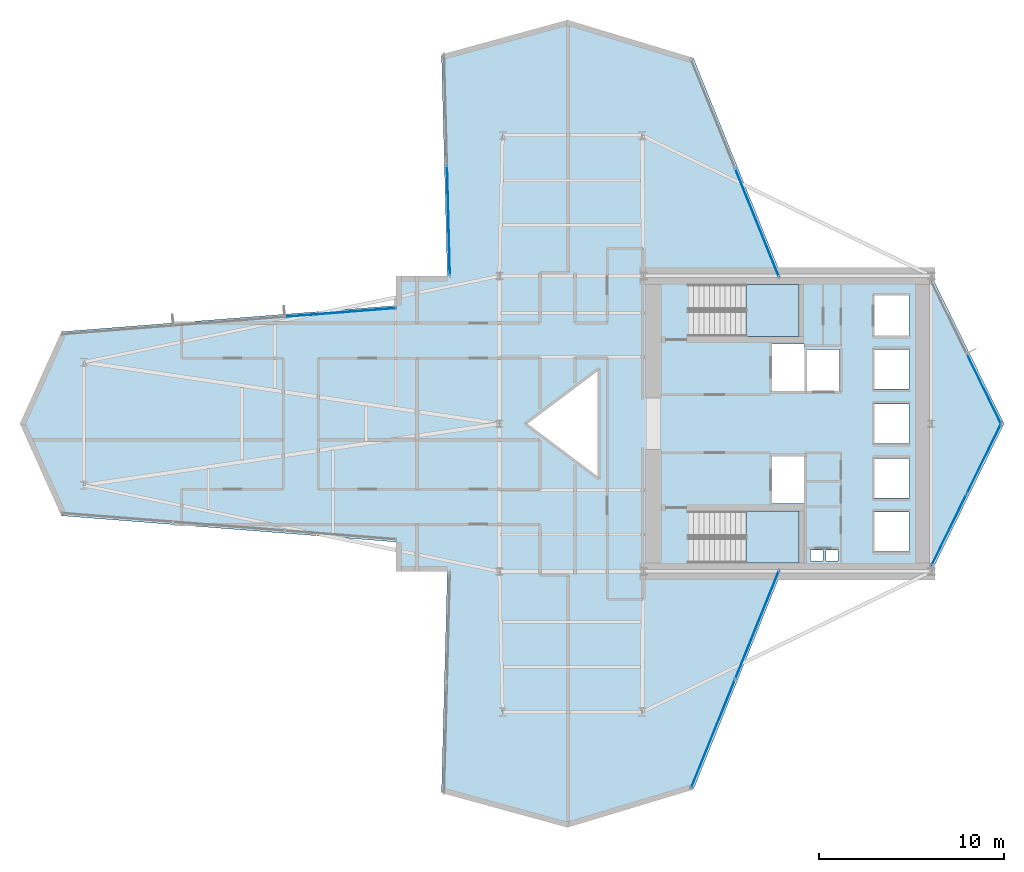
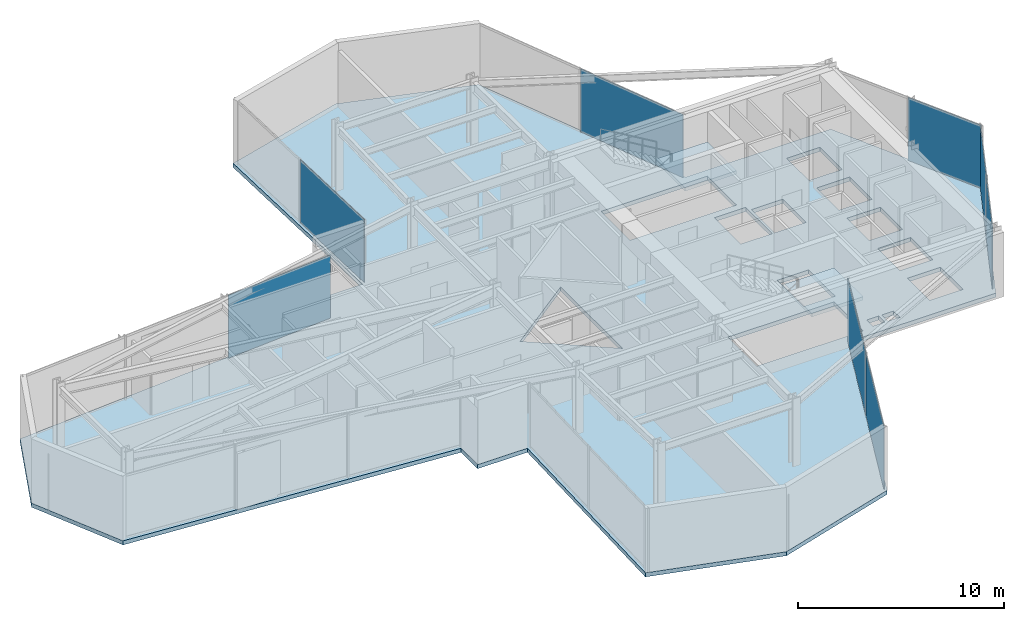
# One storey, part 25 of 30: 8 plates, 3 slabs, 8 elements without a shape of their own.
"""IFC4 building model written with IfcOpenShell, lengths in metres."""

import ifcopenshell
import ifcopenshell.guid

model = None  # the IFC model being written
_history = None  # IfcOwnerHistory: only IFC2X3 demands one
_inside = {}  # id of a spatial element -> (the spatial element, [elements in it])
_under = {}  # id of a project, library or spatial element -> (it, [spatial elements below it])
_declared = {}  # id of a project -> (the project, [libraries it declares])
_typed = {}  # id of a type object -> (the type object, [elements of that type])
_made_of = {}  # id of a material, layer set ... -> (it, [elements and type objects made of it])


def new_model(schema):
    """Start an empty IFC model of exactly this schema.

    Asked for "IFC4X3", IfcOpenShell would pick the latest addendum, in which some entities
    have other attributes; the version numbers below select the first issue.
    IFC2X3 requires an IfcOwnerHistory on every rooted entity: one is made here for all.
    """
    global model, _history
    if schema == "IFC4X3":
        model = ifcopenshell.file(schema_version=(4, 3, 0, 0))
    else:
        model = ifcopenshell.file(schema=schema)
    _inside.clear()
    _under.clear()
    _declared.clear()
    _typed.clear()
    _made_of.clear()
    _history = None
    if model.schema == "IFC2X3":
        org = make("IfcOrganization", Name="unknown")
        user = make(
            "IfcPersonAndOrganization",
            ThePerson=make("IfcPerson", FamilyName="unknown"),
            TheOrganization=org,
        )
        app = make(
            "IfcApplication",
            ApplicationDeveloper=org,
            Version="unknown",
            ApplicationFullName="unknown",
            ApplicationIdentifier="unknown",
        )
        _history = make(
            "IfcOwnerHistory",
            OwningUser=user,
            OwningApplication=app,
            ChangeAction="ADDED",
            CreationDate=0,
        )
    return model


def make(cls, **values):
    """One entity of the class cls with the attributes given. An attribute that is None is left unset."""
    return model.create_entity(
        cls, **{name: value for name, value in values.items() if value is not None}
    )


def rooted(cls, **values):
    """An entity with a GlobalId (a new one), such as an element, a storey or a relation."""
    return make(cls, GlobalId=ifcopenshell.guid.new(), OwnerHistory=_history, **values)


def si_unit(unit_type, name, prefix=None):
    """IfcSIUnit, for example si_unit("LENGTHUNIT", "METRE", prefix="MILLI")."""
    return make("IfcSIUnit", UnitType=unit_type, Prefix=prefix, Name=name)


def assignment(units):
    """IfcUnitAssignment: the units of a project."""
    return None if units is None else make("IfcUnitAssignment", Units=units)


def point(xyz):
    """IfcCartesianPoint."""
    return None if xyz is None else make("IfcCartesianPoint", Coordinates=xyz)


def direction(xyz):
    """IfcDirection."""
    return None if xyz is None else make("IfcDirection", DirectionRatios=xyz)


def frame(location, z_axis=None, x_axis=None):
    """IfcAxis2Placement3D, a coordinate frame: its origin and axes. An axis left out is left unset."""
    return make(
        "IfcAxis2Placement3D",
        Location=point(location),
        Axis=direction(z_axis),
        RefDirection=direction(x_axis),
    )


def frame_2d(location, x_axis=None):
    """IfcAxis2Placement2D, a coordinate frame in the plane: its origin and x axis."""
    return make(
        "IfcAxis2Placement2D", Location=point(location), RefDirection=direction(x_axis)
    )


def origin():
    """The frame at (0, 0, 0) with its axes left unset."""
    return frame((0.0, 0.0, 0.0))


def origin_2d():
    """The frame at (0, 0) in the plane with its x axis left unset."""
    return frame_2d((0.0, 0.0))


def place(relative_to, where):
    """IfcLocalPlacement: puts the frame where relative to a parent placement (None: the world)."""
    return make(
        "IfcLocalPlacement", PlacementRelTo=relative_to, RelativePlacement=where
    )


def context(
    kind, dimensions, precision=None, world=None, true_north=None, identifier=None
):
    """IfcGeometricRepresentationContext, for example the 3D "Model" context."""
    return make(
        "IfcGeometricRepresentationContext",
        ContextIdentifier=identifier,
        ContextType=kind,
        CoordinateSpaceDimension=dimensions,
        Precision=precision,
        WorldCoordinateSystem=world,
        TrueNorth=true_north,
    )


def subcontext(parent, identifier, kind, view, scale=None):
    """IfcGeometricRepresentationSubContext, for example "Body" below "Model"."""
    return make(
        "IfcGeometricRepresentationSubContext",
        ContextIdentifier=identifier,
        ContextType=kind,
        ParentContext=parent,
        TargetScale=scale,
        TargetView=view,
    )


def project(units=None, contexts=None):
    """IfcProject with its units and contexts."""
    return rooted(
        "IfcProject",
        Name="project",
        RepresentationContexts=contexts,
        UnitsInContext=assignment(units),
    )


def spatial(cls, under=None, at=None, **own):
    """A site, building, storey or space (cls), placed at a placement, below another one or the project."""
    s = rooted(cls, ObjectPlacement=at, **own)
    if under is not None:
        _under.setdefault(under.id(), (under, []))[1].append(s)
    return s


def polyline(points):
    """IfcPolyline through the points."""
    return make("IfcPolyline", Points=[point(p) for p in points])


def profile(cls, at=None, kind="AREA", **sizes):
    """A parametric profile (cls). Its sizes go by their IFC names, for example OverallWidth=200.0."""
    return make(cls, ProfileType=kind, Position=at, **sizes)


def rectangle(**sizes):
    """IfcRectangleProfileDef."""
    return profile("IfcRectangleProfileDef", **sizes)


def outline(outer, holes=None, kind="AREA"):
    """IfcArbitraryClosedProfileDef: a profile drawn as a closed curve; with holes, ...WithVoids."""
    if holes is None:
        return make("IfcArbitraryClosedProfileDef", ProfileType=kind, OuterCurve=outer)
    return make(
        "IfcArbitraryProfileDefWithVoids",
        ProfileType=kind,
        OuterCurve=outer,
        InnerCurves=holes,
    )


def extrude(swept, where, along, depth):
    """IfcExtrudedAreaSolid: the profile swept, set in the frame where, extruded along a direction by depth."""
    return make(
        "IfcExtrudedAreaSolid",
        SweptArea=swept,
        Position=where,
        ExtrudedDirection=direction(along),
        Depth=depth,
    )


def shape(context_of_items, identifier, shape_type, items):
    """IfcShapeRepresentation: the items that make up one representation, for example the "Body"."""
    return make(
        "IfcShapeRepresentation",
        ContextOfItems=context_of_items,
        RepresentationIdentifier=identifier,
        RepresentationType=shape_type,
        Items=items,
    )


def material(Name=None, Category=None):
    """IfcMaterial."""
    return make("IfcMaterial", Name=Name, Category=Category)


def layer(
    of_material, thickness, ventilated=None, Name=None, Category=None, Priority=None
):
    """IfcMaterialLayer: one layer of a wall or slab, of a material (None: an air gap)."""
    return make(
        "IfcMaterialLayer",
        Material=of_material,
        LayerThickness=thickness,
        IsVentilated=ventilated,
        Name=Name,
        Category=Category,
        Priority=Priority,
    )


def layer_set(layers, Name=None):
    """IfcMaterialLayerSet."""
    return make("IfcMaterialLayerSet", MaterialLayers=layers, LayerSetName=Name)


def made_of(thing, what):
    """Note that an element or type object is made of a material, layer set ...; save() writes the relation."""
    if what is not None:
        _made_of.setdefault(what.id(), (what, []))[1].append(thing)
    return thing


def type_object(cls, material=None, **own):
    """A type object (cls), such as IfcWallType, which elements share."""
    return made_of(rooted(cls, **own), material)


def element(
    cls,
    number,
    at=None,
    inside=None,
    cuts=None,
    type_object=None,
    material=None,
    context=None,
    identifier="Body",
    shape_type=None,
    held_by="IfcProductDefinitionShape",
    body=None,
    shapes=None,
    **own,
):
    """One element of the class cls, such as IfcWall. Its Tag is "e" and its number.

    at: its placement. inside: the storey or other place that contains it. cuts: it is an
    opening in that element (IfcRelVoidsElement). A single representation is given by context,
    identifier, shape_type and body (its items); several are given by shapes. held_by: the class
    of the entity that holds the representations. save() writes the other relations.
    """
    e = rooted(cls, Tag="e%d" % number, ObjectPlacement=at, **own)
    if body is not None:
        shapes = [shape(context, identifier, shape_type, body)]
    if shapes is not None:
        e.Representation = make(held_by, Representations=shapes)
    if inside is not None:
        _inside.setdefault(inside.id(), (inside, []))[1].append(e)
    if cuts is not None:
        rooted(
            "IfcRelVoidsElement", RelatingBuildingElement=cuts, RelatedOpeningElement=e
        )
    if type_object is not None:
        _typed.setdefault(type_object.id(), (type_object, []))[1].append(e)
    return made_of(e, material)


def aggregate(whole, parts):
    """IfcRelAggregates: a whole, such as a stair, and the parts it consists of."""
    return rooted("IfcRelAggregates", RelatingObject=whole, RelatedObjects=parts)


def save(model, path):
    """Write the relations noted so far, then the file.

    IfcRelAggregates (storeys below a building ...), IfcRelContainedInSpatialStructure (elements
    in a storey), IfcRelDefinesByType, IfcRelAssociatesMaterial and IfcRelDeclares: one each for
    every whole, place, type object, material and project.
    """
    for whole, parts in _under.values():
        aggregate(whole, parts)
    for where, things in _inside.values():
        rooted(
            "IfcRelContainedInSpatialStructure",
            RelatedElements=things,
            RelatingStructure=where,
        )
    for kind, things in _typed.values():
        rooted("IfcRelDefinesByType", RelatedObjects=things, RelatingType=kind)
    for what, things in _made_of.values():
        rooted("IfcRelAssociatesMaterial", RelatedObjects=things, RelatingMaterial=what)
    for by, libraries in _declared.values():
        rooted("IfcRelDeclares", RelatingContext=by, RelatedDefinitions=libraries)
    model.write(path)


model = new_model("IFC4")

# Units and contexts
model_context = context("Model", 3, precision=1e-05, world=origin(), true_north=direction((0.0, 1.0)))
body_context = subcontext(model_context, "Body", "Model", "MODEL_VIEW")
ifc_project = project(units=[si_unit("LENGTHUNIT", "METRE"), si_unit("AREAUNIT", "SQUARE_METRE"), si_unit("VOLUMEUNIT", "CUBIC_METRE"), si_unit("PLANEANGLEUNIT", "RADIAN"), si_unit("MASSUNIT", "GRAM", prefix="KILO")], contexts=[model_context])

# Site, building, storey
site_placement = place(None, origin())
site = spatial("IfcSite", under=ifc_project, at=site_placement, CompositionType="ELEMENT")
building_placement = place(site_placement, origin())
building = spatial("IfcBuilding", under=site, at=building_placement, Name="Veymaron Broadcast Tower", CompositionType="ELEMENT")
storey_placement = place(building_placement, frame((0.0, 0.0, 66.14990234375)))
storey = spatial("IfcBuildingStorey", under=building, at=storey_placement, Name="L14", CompositionType="ELEMENT", Elevation=66.14990234375)

# Curtain wall, plates
ifc_material_1 = material(Name="Anodised aluminium AA 6063-T6 and laminated low-E dark glass", Category="aluminium")
ifc_layer_1 = layer(ifc_material_1, 0.179931640625)
ifc_layer_set_1 = layer_set([ifc_layer_1], Name="Anodised aluminium AA 6063-T6 and laminated low-E dark glass")
curtain_wall_type = type_object("IfcCurtainWallType", Name="CW-SYS-02", PredefinedType="NOTDEFINED", material=ifc_layer_set_1)
curtain_wall_1_placement = place(storey_placement, origin())
curtain_wall_1 = element("IfcCurtainWall", 1, at=curtain_wall_1_placement, inside=storey, type_object=curtain_wall_type, Name="L14 dark-glass curtain wall CW-L14-E2-1", PredefinedType="NOTDEFINED")
ifc_material_2 = material(Name="Double-silver solar-control dark glass IGU 32 mm", Category="glass")
ifc_layer_2 = layer(ifc_material_2, 0.031982421875)
ifc_layer_set_2 = layer_set([ifc_layer_2], Name="Double-silver solar-control dark glass IGU 32 mm")
plate_type = type_object("IfcPlateType", Name="CW-PNL-02", PredefinedType="CURTAIN_PANEL", material=ifc_layer_set_2)
plate_1_placement = place(storey_placement, frame((55.55029296875, 18.25390625, 0.0400390625), z_axis=(0.0, 0.0, 1.0), x_axis=(0.440644343304, 0.897681771406, 0.0)))
plate_1 = element("IfcPlate", 2, at=plate_1_placement, type_object=plate_type, Name="CW-L14-E2-1 unitised curtain panel 0", PredefinedType="CURTAIN_PANEL", context=body_context, shape_type="SweptSolid", body=[
    extrude(rectangle(XDim=4.253173828125, YDim=0.031982421875, at=origin_2d()), origin(), (0.0, 0.0, 1.0), 3.72998046875),
])
plate_2_placement = place(storey_placement, frame((57.450927734375, 22.125732421875, 0.0400390625), z_axis=(0.0, 0.0, 1.0), x_axis=(0.440644343304, 0.897681771406, 0.0)))
plate_2 = element("IfcPlate", 3, at=plate_2_placement, type_object=plate_type, Name="CW-L14-E2-1 unitised curtain panel 1", PredefinedType="CURTAIN_PANEL", context=body_context, shape_type="SweptSolid", body=[
    extrude(rectangle(XDim=4.253173828125, YDim=0.031982421875, at=origin_2d()), origin(), (0.0, 0.0, 1.0), 3.72998046875),
])
aggregate(curtain_wall_1, [plate_1, plate_2])

# Curtain wall, plate
curtain_wall_2_placement = place(storey_placement, origin())
curtain_wall_2 = element("IfcCurtainWall", 4, at=curtain_wall_2_placement, inside=storey, type_object=curtain_wall_type, Name="L14 dark-glass curtain wall CW-L14-E3-1", PredefinedType="NOTDEFINED")
plate_3_placement = place(storey_placement, frame((57.450927734375, 25.874267578125, 0.0400390625), z_axis=(0.0, 0.0, 1.0), x_axis=(-0.440644343304, 0.897681771406, 0.0)))
plate_3 = element("IfcPlate", 5, at=plate_3_placement, type_object=plate_type, Name="CW-L14-E3-1 unitised curtain panel 0", PredefinedType="CURTAIN_PANEL", context=body_context, shape_type="SweptSolid", body=[
    extrude(rectangle(XDim=4.253173828125, YDim=0.031982421875, at=origin_2d()), origin(), (0.0, 0.0, 1.0), 3.72998046875),
])
aggregate(curtain_wall_2, [plate_3])

curtain_wall_3_placement = place(storey_placement, origin())
curtain_wall_3 = element("IfcCurtainWall", 6, at=curtain_wall_3_placement, inside=storey, type_object=curtain_wall_type, Name="L14 dark-glass curtain wall CW-L14-E5-1", PredefinedType="NOTDEFINED")
plate_4_placement = place(storey_placement, frame((45.1552734375, 34.89599609375, 0.0400390625), z_axis=(0.0, 0.0, 1.0), x_axis=(-0.374703685828, 0.927144620772, 0.0)))
plate_4 = element("IfcPlate", 7, at=plate_4_placement, type_object=plate_type, Name="CW-L14-E5-1 unitised curtain panel 0", PredefinedType="CURTAIN_PANEL", context=body_context, shape_type="SweptSolid", body=[
    extrude(rectangle(XDim=6.30029296875, YDim=0.031982421875, at=origin_2d()), origin(), (0.0, 0.0, 1.0), 3.72998046875),
])
aggregate(curtain_wall_3, [plate_4])

curtain_wall_4_placement = place(storey_placement, origin())
curtain_wall_4 = element("IfcCurtainWall", 8, at=curtain_wall_4_placement, inside=storey, type_object=curtain_wall_type, Name="L14 dark-glass curtain wall CW-L14-E8-1", PredefinedType="NOTDEFINED")
plate_5_placement = place(storey_placement, frame((28.4482421875, 34.9990234375, 0.0400390625), z_axis=(0.0, 0.0, 1.0), x_axis=(0.026299079294, -0.999654119397, 0.0)))
plate_5 = element("IfcPlate", 9, at=plate_5_placement, type_object=plate_type, Name="CW-L14-E8-1 unitised curtain panel 1", PredefinedType="CURTAIN_PANEL", context=body_context, shape_type="SweptSolid", body=[
    extrude(rectangle(XDim=5.9326171875, YDim=0.031982421875, at=origin_2d()), origin(), (0.0, 0.0, 1.0), 3.72998046875),
])
aggregate(curtain_wall_4, [plate_5])

curtain_wall_5_placement = place(storey_placement, origin())
curtain_wall_5 = element("IfcCurtainWall", 10, at=curtain_wall_5_placement, inside=storey, type_object=curtain_wall_type, Name="L14 dark-glass curtain wall CW-L14-E11-1", PredefinedType="NOTDEFINED")
plate_6_placement = place(storey_placement, frame((22.600830078125, 30.024658203125, 0.0400390625), z_axis=(0.0, 0.0, 1.0), x_axis=(-0.996951473071, -0.078024101027, 0.0)))
plate_6 = element("IfcPlate", 11, at=plate_6_placement, type_object=plate_type, Name="CW-L14-E11-1 unitised curtain panel 0", PredefinedType="CURTAIN_PANEL", context=body_context, shape_type="SweptSolid", body=[
    extrude(rectangle(XDim=5.994384765625, YDim=0.031982421875, at=origin_2d()), origin(), (0.0, 0.0, 1.0), 3.72998046875),
])
aggregate(curtain_wall_5, [plate_6])

# Curtain wall, plates
curtain_wall_6_placement = place(storey_placement, origin())
curtain_wall_6 = element("IfcCurtainWall", 12, at=curtain_wall_6_placement, inside=storey, type_object=curtain_wall_type, Name="L14 dark-glass curtain wall CW-L14-E20-1", PredefinedType="NOTDEFINED")
plate_7_placement = place(storey_placement, frame((42.77197265625, 7.20703125, 0.0400390625), z_axis=(0.0, 0.0, 1.0), x_axis=(0.374703685828, 0.927144620772, 0.0)))
plate_7 = element("IfcPlate", 13, at=plate_7_placement, type_object=plate_type, Name="CW-L14-E20-1 unitised curtain panel 0", PredefinedType="CURTAIN_PANEL", context=body_context, shape_type="SweptSolid", body=[
    extrude(rectangle(XDim=6.30029296875, YDim=0.031982421875, at=origin_2d()), origin(), (0.0, 0.0, 1.0), 3.72998046875),
])
plate_8_placement = place(storey_placement, frame((45.1552734375, 13.10400390625, 0.0400390625), z_axis=(0.0, 0.0, 1.0), x_axis=(0.374703685828, 0.927144620772, 0.0)))
plate_8 = element("IfcPlate", 14, at=plate_8_placement, type_object=plate_type, Name="CW-L14-E20-1 unitised curtain panel 1", PredefinedType="CURTAIN_PANEL", context=body_context, shape_type="SweptSolid", body=[
    extrude(rectangle(XDim=6.30029296875, YDim=0.031982421875, at=origin_2d()), origin(), (0.0, 0.0, 1.0), 3.72998046875),
])
aggregate(curtain_wall_6, [plate_7, plate_8])

# Slab
ifc_material_3 = material(Name="Concrete C40/50", Category="concrete")
ifc_layer_3 = layer(ifc_material_3, 0.239990234375)
ifc_layer_set_3 = layer_set([ifc_layer_3], Name="Concrete C40/50")
slab_type_1 = type_object("IfcSlabType", Name="SLAB-FS6", PredefinedType="FLOOR", material=ifc_layer_set_3)
slab_1_placement = place(storey_placement, frame((0.0, 0.0, -0.239990234375)))
element("IfcSlab", 15, at=slab_1_placement, inside=storey, type_object=slab_type_1, Name="L14 structural floor slab", PredefinedType="FLOOR", context=body_context, shape_type="SweptSolid", body=[
    extrude(outline(polyline([(46.476806640625, 16.0), (54.60009765625, 16.0), (58.527099609375, 24.0), (54.60009765625, 32.0), (46.476806640625, 32.0), (41.710205078125, 43.7939453125), (34.89111328125, 45.85107421875), (28.07177734375, 43.98095703125), (28.386962890625, 32.0), (25.60791015625, 32.0), (25.60791015625, 30.400390625), (7.5, 28.9833984375), (5.256103515625, 24.0), (7.5, 19.0166015625), (25.60791015625, 17.599609375), (25.60791015625, 16.0), (28.386962890625, 16.0), (28.07177734375, 4.01904296875), (34.89111328125, 2.14892578125), (41.710205078125, 4.2060546875), (46.476806640625, 16.0)]), holes=[polyline([(45.969970703125, 28.330078125), (47.72998046875, 28.330078125), (47.72998046875, 25.77001953125), (45.969970703125, 25.77001953125), (45.969970703125, 28.330078125)]), polyline([(45.969970703125, 22.22998046875), (47.72998046875, 22.22998046875), (47.72998046875, 19.669921875), (45.969970703125, 19.669921875), (45.969970703125, 22.22998046875)]), polyline([(47.8701171875, 28.030029296875), (49.6298828125, 28.030029296875), (49.6298828125, 25.77001953125), (47.8701171875, 25.77001953125), (47.8701171875, 28.030029296875)]), polyline([(51.52001953125, 30.929931640625), (53.3798828125, 30.929931640625), (53.3798828125, 28.77001953125), (51.52001953125, 28.77001953125), (51.52001953125, 30.929931640625)]), polyline([(51.52001953125, 28.030029296875), (53.3798828125, 28.030029296875), (53.3798828125, 25.8701171875), (51.52001953125, 25.8701171875), (51.52001953125, 28.030029296875)]), polyline([(51.52001953125, 22.1298828125), (53.3798828125, 22.1298828125), (53.3798828125, 19.969970703125), (51.52001953125, 19.969970703125), (51.52001953125, 22.1298828125)]), polyline([(51.52001953125, 25.080078125), (53.3798828125, 25.080078125), (53.3798828125, 22.919921875), (51.52001953125, 22.919921875), (51.52001953125, 25.080078125)]), polyline([(51.52001953125, 19.22998046875), (53.3798828125, 19.22998046875), (53.3798828125, 17.070068359375), (51.52001953125, 17.070068359375), (51.52001953125, 19.22998046875)]), polyline([(48.050048828125, 17.159912109375), (48.719970703125, 17.159912109375), (48.719970703125, 16.56005859375), (48.050048828125, 16.56005859375), (48.050048828125, 17.159912109375)]), polyline([(48.8798828125, 17.159912109375), (49.550048828125, 17.159912109375), (49.550048828125, 16.56005859375), (48.8798828125, 16.56005859375), (48.8798828125, 17.159912109375)]), polyline([(36.60009765625, 27.0), (36.60009765625, 21.0), (32.60009765625, 24.0), (36.60009765625, 27.0)]), polyline([(41.489990234375, 31.550048828125), (47.43994140625, 31.550048828125), (47.43994140625, 28.72998046875), (41.489990234375, 28.72998046875), (41.489990234375, 31.550048828125)]), polyline([(41.489990234375, 19.27001953125), (47.43994140625, 19.27001953125), (47.43994140625, 16.449951171875), (41.489990234375, 16.449951171875), (41.489990234375, 19.27001953125)])]), origin(), (0.0, 0.0, 1.0), 0.239990234375),
])

# Stair, slab
ifc_material_4 = material(Name="Concrete C50/60", Category="concrete")
stair_type_1 = type_object("IfcStairType", Name="STAIR-CORE-1", PredefinedType="HALF_TURN_STAIR", material=ifc_material_4)
stair_1_placement = place(storey_placement, origin())
stair_1 = element("IfcStair", 16, at=stair_1_placement, inside=storey, type_object=stair_type_1, Name="L14 North protected dog-leg exit stair ST1", PredefinedType="HALF_TURN_STAIR")
ifc_layer_4 = layer(ifc_material_4, 0.199951171875)
ifc_layer_set_4 = layer_set([ifc_layer_4], Name="Concrete C50/60")
slab_type_2 = type_object("IfcSlabType", Name="SLAB-STAIR-LDG", PredefinedType="LANDING", material=ifc_layer_set_4)
slab_2_placement = place(storey_placement, frame((0.0, 0.0, 1.8251953125)))
slab_2 = element("IfcSlab", 17, at=slab_2_placement, type_object=slab_type_2, Name="ST1 landing 1", PredefinedType="LANDING", context=body_context, shape_type="SweptSolid", body=[
    extrude(outline(polyline([(44.56494140625, 28.72998046875), (47.43994140625, 28.72998046875), (47.43994140625, 31.550048828125), (44.56494140625, 31.550048828125), (44.56494140625, 28.72998046875)])), origin(), (0.0, 0.0, 1.0), 0.199951171875),
])
aggregate(stair_1, [slab_2])

stair_type_2 = type_object("IfcStairType", Name="STAIR-CORE-2", PredefinedType="HALF_TURN_STAIR", material=ifc_material_4)
stair_2_placement = place(storey_placement, origin())
stair_2 = element("IfcStair", 18, at=stair_2_placement, inside=storey, type_object=stair_type_2, Name="L14 South protected dog-leg exit stair ST2", PredefinedType="HALF_TURN_STAIR")
slab_3_placement = place(storey_placement, frame((0.0, 0.0, 1.8251953125)))
slab_3 = element("IfcSlab", 19, at=slab_3_placement, type_object=slab_type_2, Name="ST2 landing 1", PredefinedType="LANDING", context=body_context, shape_type="SweptSolid", body=[
    extrude(outline(polyline([(44.56494140625, 16.449951171875), (47.43994140625, 16.449951171875), (47.43994140625, 19.27001953125), (44.56494140625, 19.27001953125), (44.56494140625, 16.449951171875)])), origin(), (0.0, 0.0, 1.0), 0.199951171875),
])
aggregate(stair_2, [slab_3])

save(model, "model.ifc")
